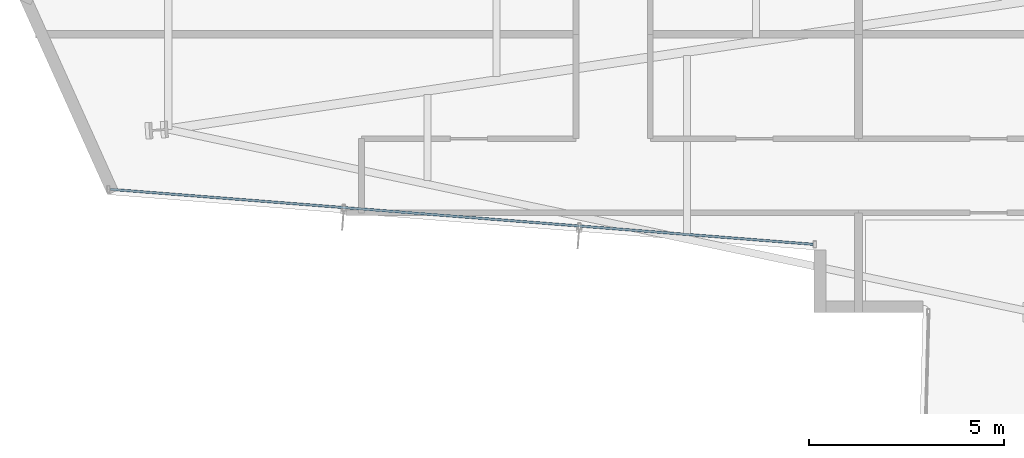
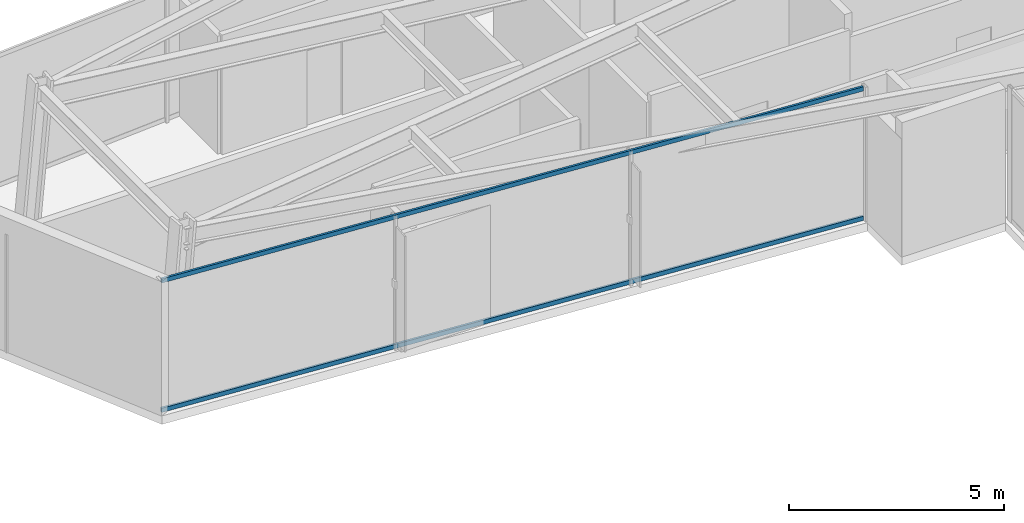
# One storey, part 3 of 31: 2 members, 1 element without a shape of its own.
"""IFC4 building model written with IfcOpenShell, lengths in metres."""

from ifc_helpers import new_model, si_unit, direction, frame, origin, origin_2d, place, context, subcontext, project, spatial, hollow_rectangle, extrude, material, layer, layer_set, material_profile, profile_set, type_object, element, aggregate, save


model = new_model("IFC4")

# Units and contexts
model_context = context("Model", 3, precision=1e-05, world=origin(), true_north=direction((0.0, 1.0)))
body_context = subcontext(model_context, "Body", "Model", "MODEL_VIEW")
ifc_project = project(units=[si_unit("LENGTHUNIT", "METRE"), si_unit("AREAUNIT", "SQUARE_METRE"), si_unit("VOLUMEUNIT", "CUBIC_METRE"), si_unit("PLANEANGLEUNIT", "RADIAN"), si_unit("MASSUNIT", "GRAM", prefix="KILO")], contexts=[model_context])

# Site, building, storey
site_placement = place(None, origin())
site = spatial("IfcSite", under=ifc_project, at=site_placement, CompositionType="ELEMENT")
building_placement = place(site_placement, origin())
building = spatial("IfcBuilding", under=site, at=building_placement, Name="Veymaron Broadcast Tower", CompositionType="ELEMENT")
storey_placement = place(building_placement, frame((0.0, 0.0, 70.199951171875)))
storey = spatial("IfcBuildingStorey", under=building, at=storey_placement, Name="L15", CompositionType="ELEMENT", Elevation=70.199951171875)

# Curtain wall, members
ifc_material_1 = material(Name="Anodised aluminium AA 6063-T6 and laminated low-E dark glass", Category="aluminium")
ifc_layer = layer(ifc_material_1, 0.179931640625)
ifc_layer_set = layer_set([ifc_layer], Name="Anodised aluminium AA 6063-T6 and laminated low-E dark glass")
curtain_wall_type = type_object("IfcCurtainWallType", Name="CW-SYS-02", PredefinedType="NOTDEFINED", material=ifc_layer_set)
curtain_wall_placement = place(storey_placement, origin())
curtain_wall = element("IfcCurtainWall", 1, at=curtain_wall_placement, inside=storey, type_object=curtain_wall_type, Name="L15 dark-glass curtain wall CW-L15-E14-1", PredefinedType="NOTDEFINED")
ifc_material_2 = material(Name="Anodised aluminium AA 6063-T6", Category="aluminium")
ifc_material_profile = material_profile(ifc_material_2, hollow_rectangle(XDim=0.06005859375, YDim=0.1201171875, WallThickness=0.00390625, at=origin_2d()), Name="AL120X60X4")
ifc_profile_set = profile_set([ifc_material_profile], Name="Anodised aluminium AA 6063-T6")
member_type = type_object("IfcMemberType", Name="CW-TRN-02", PredefinedType="USERDEFINED", material=ifc_profile_set)
member_1_placement = place(storey_placement, frame((7.560791015625, 19.15234375, 0.070068359375), z_axis=(0.996952327032, -0.078013188791, 0.0), x_axis=(0.078013188791, 0.996952327032, 0.0)))
member_1 = element("IfcMember", 2, at=member_1_placement, type_object=member_type, Name="CW-L15-E14-1 transom B", ObjectType="TRANSOM", PredefinedType="USERDEFINED", context=body_context, shape_type="SweptSolid", body=[
    extrude(hollow_rectangle(XDim=0.06005859375, YDim=0.1201171875, WallThickness=0.00390625, at=origin_2d()), origin(), (0.0, 0.0, 1.0), 18.063232421875),
])
member_2_placement = place(storey_placement, frame((7.560791015625, 19.15234375, 3.739990234375), z_axis=(0.996952327032, -0.078013188791, 0.0), x_axis=(0.078013188791, 0.996952327032, 0.0)))
member_2 = element("IfcMember", 3, at=member_2_placement, type_object=member_type, Name="CW-L15-E14-1 transom T", ObjectType="TRANSOM", PredefinedType="USERDEFINED", context=body_context, shape_type="SweptSolid", body=[
    extrude(hollow_rectangle(XDim=0.06005859375, YDim=0.1201171875, WallThickness=0.00390625, at=origin_2d()), origin(), (0.0, 0.0, 1.0), 18.063232421875),
])
aggregate(curtain_wall, [member_1, member_2])

save(model, "model.ifc")
